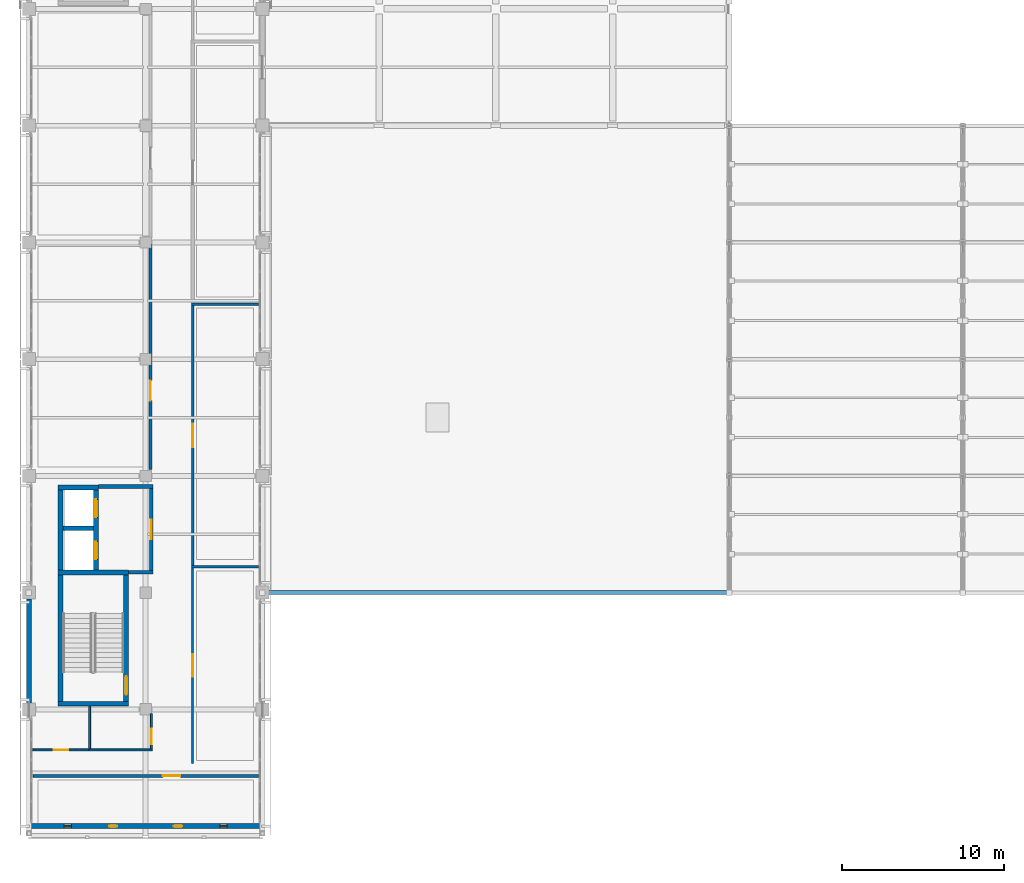
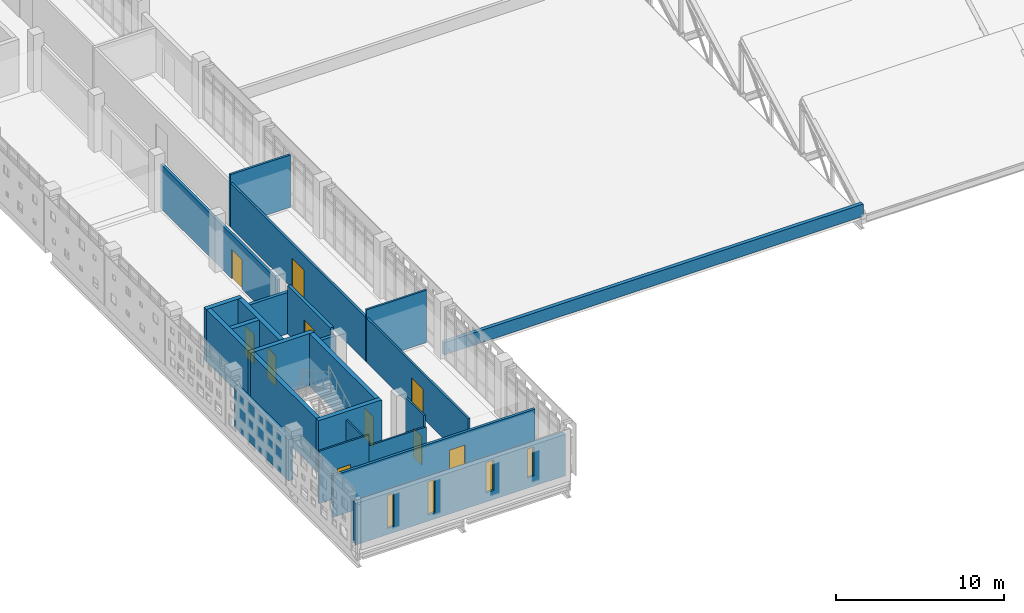
# One storey, part 35 of 51: 24 walls, 10 doors, 4 windows, 14 openings.
"""IFC4 building model written with IfcOpenShell, lengths in metres."""

from ifc_helpers import new_model, si_unit, direction, frame, frame_2d, origin, place, context, subcontext, project, spatial, rectangle, extrude, material, layer, layer_set, type_object, element, fill, save


model = new_model("IFC4")

# Units and contexts
model_context = context("Model", 3, precision=1e-05, world=origin(), true_north=direction((0.0, 1.0)))
body_context = subcontext(model_context, "Body", "Model", "MODEL_VIEW")
ifc_project = project(units=[si_unit("LENGTHUNIT", "METRE"), si_unit("AREAUNIT", "SQUARE_METRE"), si_unit("VOLUMEUNIT", "CUBIC_METRE"), si_unit("PLANEANGLEUNIT", "RADIAN"), si_unit("MASSUNIT", "GRAM", prefix="KILO")], contexts=[model_context])

# Site, building, storey
site_placement = place(None, origin())
site = spatial("IfcSite", under=ifc_project, at=site_placement, CompositionType="ELEMENT")
building_placement = place(site_placement, origin())
building = spatial("IfcBuilding", under=site, at=building_placement, Name="Valkovuoma Quantum and Materials Research Institute", CompositionType="ELEMENT")
storey_placement = place(building_placement, frame((0.0, 0.0, 17.280029296875)))
storey = spatial("IfcBuildingStorey", under=building, at=storey_placement, Name="L04", CompositionType="ELEMENT", Elevation=17.280029296875)

# Walls
ifc_material_1 = material(Name="Concrete C40/50", Category="concrete")
ifc_layer_1 = layer(ifc_material_1, 0.300048828125)
ifc_layer_set_1 = layer_set([ifc_layer_1], Name="Concrete C40/50")
wall_type_1 = type_object("IfcWallType", Name="Wall-W-COR300", PredefinedType="SHEAR", material=ifc_layer_set_1)
for number, where, z_axis, x_axis, name in (
    (1, (1.800048828125, 29.14990234375, 0.0), (0.0, 0.0, 1.0), (1.0, 0.0, 0.0), "L04 core wall 0056"),
    (2, (1.800048828125, 37.25, 0.0), (0.0, 0.0, 1.0), (1.0, 0.0, 0.0), "L04 core wall 0057"),
):
    element("IfcWall", number, at=place(storey_placement, frame(where, z_axis=z_axis, x_axis=x_axis)), inside=storey, type_object=wall_type_1, Name=name, PredefinedType="SHEAR", context=body_context, shape_type="SweptSolid", body=[
        extrude(rectangle(XDim=4.349853515625, YDim=0.300048828125, at=frame_2d((2.1748046875, 0.0))), origin(), (0.0, 0.0, 1.0), 3.81005859375),
    ])
wall_1_placement = place(storey_placement, frame((1.949951171875, 29.300048828125, 0.0), z_axis=(0.0, 0.0, 1.0), x_axis=(0.0, 1.0, 0.0)))
element("IfcWall", 3, at=wall_1_placement, inside=storey, type_object=wall_type_1, Name="L04 core wall 0058", PredefinedType="SHEAR", context=body_context, shape_type="SweptSolid", body=[
    extrude(rectangle(XDim=7.800048828125, YDim=0.300048828125, at=frame_2d((3.89990234375, 0.0))), origin(), (0.0, 0.0, 1.0), 3.81005859375),
])

# Wall, opening, door
wall_2_placement = place(storey_placement, frame((6.0, 29.300048828125, 0.0), z_axis=(0.0, 0.0, 1.0), x_axis=(0.0, 1.0, 0.0)))
wall_2 = element("IfcWall", 4, at=wall_2_placement, inside=storey, type_object=wall_type_1, Name="L04 core wall 0059", PredefinedType="SHEAR", context=body_context, shape_type="SweptSolid", body=[
    extrude(rectangle(XDim=7.800048828125, YDim=0.300048828125, at=frame_2d((3.89990234375, 0.0))), origin(), (0.0, 0.0, 1.0), 3.81005859375),
])
opening_1_placement = place(wall_2_placement, frame((0.39990234375, 0.0, 0.0)))
opening_1 = element("IfcOpeningElement", 5, at=opening_1_placement, cuts=wall_2, Name="Opening SD-011", PredefinedType="OPENING", context=body_context, shape_type="SweptSolid", body=[
    extrude(rectangle(XDim=1.14990234375, YDim=2.199951171875, at=frame_2d((0.574951171875, 1.10009765625))), frame((0.0, 0.16015625, 0.0), z_axis=(0.0, -1.0, 0.0), x_axis=(1.0, 0.0, 0.0)), (0.0, 0.0, 1.0), 0.320068359375),
])
ifc_material_2 = material(Name="Powder-coated steel and acoustic timber door assembly", Category="steel")
door_type_1 = type_object("IfcDoorType", Name="Door-DR-ST60", OperationType="NOTDEFINED", PredefinedType="DOOR", material=ifc_material_2)
door_1_placement = place(opening_1_placement, origin())
door_1 = element("IfcDoor", 6, at=door_1_placement, inside=storey, type_object=door_type_1, Name="L04 ST-1 fire door", OperationType="SINGLE_SWING_RIGHT", OverallHeight=2.199951171875, OverallWidth=1.14990234375, PredefinedType="DOOR", context=body_context, shape_type="SweptSolid", body=[
    extrude(rectangle(XDim=1.14990234375, YDim=2.199951171875, at=frame_2d((0.574951171875, 1.10009765625))), frame((0.0, 0.02490234375, 0.0), z_axis=(0.0, -1.0, 0.0), x_axis=(1.0, 0.0, 0.0)), (0.0, 0.0, 1.0), 0.050048828125),
])
fill(opening_1, door_1)

# Walls
wall_3_placement = place(storey_placement, frame((1.800048828125, 42.47998046875, 0.0), z_axis=(0.0, 0.0, 1.0), x_axis=(1.0, 0.0, 0.0)))
element("IfcWall", 7, at=wall_3_placement, inside=storey, type_object=wall_type_1, Name="L04 core wall 0060", PredefinedType="SHEAR", context=body_context, shape_type="SweptSolid", body=[
    extrude(rectangle(XDim=2.47998046875, YDim=0.300048828125, at=frame_2d((1.239990234375, 0.0))), origin(), (0.0, 0.0, 1.0), 3.81005859375),
])
wall_4_placement = place(storey_placement, frame((2.10009765625, 39.97509765625, 0.0), z_axis=(0.0, 0.0, 1.0), x_axis=(1.0, 0.0, 0.0)))
element("IfcWall", 8, at=wall_4_placement, inside=storey, type_object=wall_type_1, Name="L04 core wall 0061", PredefinedType="SHEAR", context=body_context, shape_type="SweptSolid", body=[
    extrude(rectangle(XDim=1.8798828125, YDim=0.300048828125, at=frame_2d((0.93994140625, 0.0))), origin(), (0.0, 0.0, 1.0), 3.81005859375),
])
wall_5_placement = place(storey_placement, frame((1.949951171875, 37.39990234375, 0.0), z_axis=(0.0, 0.0, 1.0), x_axis=(0.0, 1.0, 0.0)))
element("IfcWall", 9, at=wall_5_placement, inside=storey, type_object=wall_type_1, Name="L04 core wall 0062", PredefinedType="SHEAR", context=body_context, shape_type="SweptSolid", body=[
    extrude(rectangle(XDim=4.93017578125, YDim=0.300048828125, at=frame_2d((2.465087890625, 0.0))), origin(), (0.0, 0.0, 1.0), 3.81005859375),
])

# Wall, openings, doors
wall_6_placement = place(storey_placement, frame((4.1298828125, 37.39990234375, 0.0), z_axis=(0.0, 0.0, 1.0), x_axis=(0.0, 1.0, 0.0)))
wall_6 = element("IfcWall", 10, at=wall_6_placement, inside=storey, type_object=wall_type_1, Name="L04 core wall 0063", PredefinedType="SHEAR", context=body_context, shape_type="SweptSolid", body=[
    extrude(rectangle(XDim=4.93017578125, YDim=0.300048828125, at=frame_2d((2.465087890625, 0.0))), origin(), (0.0, 0.0, 1.0), 3.81005859375),
])
opening_2_placement = place(wall_6_placement, frame((0.64990234375, 0.0, 0.0)))
opening_2 = element("IfcOpeningElement", 11, at=opening_2_placement, cuts=wall_6, Name="Opening LD-011", PredefinedType="OPENING", context=body_context, shape_type="SweptSolid", body=[
    extrude(rectangle(XDim=1.10009765625, YDim=2.199951171875, at=frame_2d((0.550048828125, 1.10009765625))), frame((0.0, 0.16015625, 0.0), z_axis=(0.0, -1.0, 0.0), x_axis=(1.0, 0.0, 0.0)), (0.0, 0.0, 1.0), 0.320068359375),
])
opening_3_placement = place(wall_6_placement, frame((3.25, 0.0, 0.0)))
opening_3 = element("IfcOpeningElement", 12, at=opening_3_placement, cuts=wall_6, Name="Opening LD-012", PredefinedType="OPENING", context=body_context, shape_type="SweptSolid", body=[
    extrude(rectangle(XDim=1.10009765625, YDim=2.199951171875, at=frame_2d((0.550048828125, 1.10009765625))), frame((0.0, 0.16015625, 0.0), z_axis=(0.0, -1.0, 0.0), x_axis=(1.0, 0.0, 0.0)), (0.0, 0.0, 1.0), 0.320068359375),
])
ifc_material_3 = material(Name="Powder-coated steel and acoustic timber door assembly", Category="steel")
door_type_2 = type_object("IfcDoorType", Name="Door-DR-LD01", OperationType="NOTDEFINED", PredefinedType="DOOR", material=ifc_material_3)
door_2_placement = place(opening_2_placement, origin())
door_2 = element("IfcDoor", 13, at=door_2_placement, inside=storey, type_object=door_type_2, Name="L04 LIFT-FF1 sliding landing door", OperationType="SLIDING_TO_LEFT", OverallHeight=2.199951171875, OverallWidth=1.10009765625, PredefinedType="DOOR", context=body_context, shape_type="SweptSolid", body=[
    extrude(rectangle(XDim=1.10009765625, YDim=2.199951171875, at=frame_2d((0.550048828125, 1.10009765625))), frame((0.0, 0.02490234375, 0.0), z_axis=(0.0, -1.0, 0.0), x_axis=(1.0, 0.0, 0.0)), (0.0, 0.0, 1.0), 0.050048828125),
])
fill(opening_2, door_2)
door_3_placement = place(opening_3_placement, origin())
door_3 = element("IfcDoor", 14, at=door_3_placement, inside=storey, type_object=door_type_2, Name="L04 LIFT-P1 sliding landing door", OperationType="SLIDING_TO_LEFT", OverallHeight=2.199951171875, OverallWidth=1.10009765625, PredefinedType="DOOR", context=body_context, shape_type="SweptSolid", body=[
    extrude(rectangle(XDim=1.10009765625, YDim=2.199951171875, at=frame_2d((0.550048828125, 1.10009765625))), frame((0.0, 0.02490234375, 0.0), z_axis=(0.0, -1.0, 0.0), x_axis=(1.0, 0.0, 0.0)), (0.0, 0.0, 1.0), 0.050048828125),
])
fill(opening_3, door_3)

# Wall
ifc_material_4 = material(Name="Precast concrete C40/50", Category="concrete")
ifc_layer_2 = layer(ifc_material_4, 0.300048828125)
ifc_layer_set_2 = layer_set([ifc_layer_2], Name="Precast concrete C40/50")
wall_type_2 = type_object("IfcWallType", Name="Wall-W-EXT300", PredefinedType="SOLIDWALL", material=ifc_layer_set_2)
wall_7_placement = place(storey_placement, frame((0.0, 29.18994140625, 0.0), z_axis=(0.0, 0.0, 1.0), x_axis=(0.0, 1.0, 0.0)))
element("IfcWall", 15, at=wall_7_placement, inside=storey, type_object=wall_type_2, Name="L04 exterior wall 0046", PredefinedType="SOLIDWALL", context=body_context, shape_type="SweptSolid", body=[
    extrude(rectangle(XDim=6.420166015625, YDim=0.300048828125, at=frame_2d((3.2099609375, 0.0))), origin(), (0.0, 0.0, 1.0), 3.010009765625),
])

# Wall, openings, windows
ifc_material_5 = material(Name="Precast concrete C40/50", Category="concrete")
ifc_layer_3 = layer(ifc_material_5, 0.320068359375)
ifc_layer_set_3 = layer_set([ifc_layer_3], Name="Precast concrete C40/50")
wall_type_3 = type_object("IfcWallType", Name="Wall-W-EXT320", PredefinedType="SOLIDWALL", material=ifc_layer_set_3)
wall_8_placement = place(storey_placement, frame((0.0, 21.60009765625, 0.0), z_axis=(0.0, 0.0, 1.0), x_axis=(1.0, 0.0, 0.0)))
wall_8 = element("IfcWall", 16, at=wall_8_placement, inside=storey, type_object=wall_type_3, Name="L04 exterior wall 0044", PredefinedType="SOLIDWALL", context=body_context, shape_type="SweptSolid", body=[
    extrude(rectangle(XDim=14.39990234375, YDim=0.320068359375, at=frame_2d((7.199951171875, 0.0))), origin(), (0.0, 0.0, 1.0), 3.010009765625),
])
opening_4_placement = place(wall_8_placement, frame((2.175048828125, 0.0, 0.449951171875)))
opening_4 = element("IfcOpeningElement", 17, at=opening_4_placement, cuts=wall_8, Name="Opening WN-SL01", PredefinedType="OPENING", context=body_context, shape_type="SweptSolid", body=[
    extrude(rectangle(XDim=0.449951171875, YDim=2.39990234375, at=frame_2d((0.22509765625, 1.199951171875))), frame((0.0, 0.169921875, 0.0), z_axis=(0.0, -1.0, 0.0), x_axis=(1.0, 0.0, 0.0)), (0.0, 0.0, 1.0), 0.340087890625),
])
opening_5_placement = place(wall_8_placement, frame((4.949951171875, 0.0, 0.449951171875)))
opening_5 = element("IfcOpeningElement", 18, at=opening_5_placement, cuts=wall_8, Name="Opening WN-SL02", PredefinedType="OPENING", context=body_context, shape_type="SweptSolid", body=[
    extrude(rectangle(XDim=0.5, YDim=2.39990234375, at=frame_2d((0.25, 1.199951171875))), frame((0.0, 0.169921875, 0.0), z_axis=(0.0, -1.0, 0.0), x_axis=(1.0, 0.0, 0.0)), (0.0, 0.0, 1.0), 0.340087890625),
])
opening_6_placement = place(wall_8_placement, frame((8.925048828125, 0.0, 0.64990234375)))
opening_6 = element("IfcOpeningElement", 19, at=opening_6_placement, cuts=wall_8, Name="Opening WN-SL03", PredefinedType="OPENING", context=body_context, shape_type="SweptSolid", body=[
    extrude(rectangle(XDim=0.550048828125, YDim=2.199951171875, at=frame_2d((0.27490234375, 1.10009765625))), frame((0.0, 0.169921875, 0.0), z_axis=(0.0, -1.0, 0.0), x_axis=(1.0, 0.0, 0.0)), (0.0, 0.0, 1.0), 0.340087890625),
])
opening_7_placement = place(wall_8_placement, frame((11.77490234375, 0.0, 0.75)))
opening_7 = element("IfcOpeningElement", 20, at=opening_7_placement, cuts=wall_8, Name="Opening WN-SL04", PredefinedType="OPENING", context=body_context, shape_type="SweptSolid", body=[
    extrude(rectangle(XDim=0.449951171875, YDim=2.10009765625, at=frame_2d((0.22509765625, 1.050048828125))), frame((0.0, 0.169921875, 0.0), z_axis=(0.0, -1.0, 0.0), x_axis=(1.0, 0.0, 0.0)), (0.0, 0.0, 1.0), 0.340087890625),
])
ifc_material_6 = material(Name="Triple low-E argon glazing in thermally broken aluminium frame", Category="aluminium")
window_type_1 = type_object("IfcWindowType", Name="Win-WN-SL01", PartitioningType="SINGLE_PANEL", PredefinedType="WINDOW", material=ifc_material_6)
window_1_placement = place(opening_4_placement, origin())
window_1 = element("IfcWindow", 21, at=window_1_placement, inside=storey, type_object=window_type_1, Name="L04 window 0024", OverallHeight=2.39990234375, OverallWidth=0.449951171875, PartitioningType="SINGLE_PANEL", PredefinedType="WINDOW", context=body_context, shape_type="SweptSolid", body=[
    extrude(rectangle(XDim=0.449951171875, YDim=2.39990234375, at=frame_2d((0.22509765625, 1.199951171875))), frame((0.0, 0.030029296875, 0.0), z_axis=(0.0, -1.0, 0.0), x_axis=(1.0, 0.0, 0.0)), (0.0, 0.0, 1.0), 0.06005859375),
])
fill(opening_4, window_1)
ifc_material_7 = material(Name="Triple low-E argon glazing in thermally broken aluminium frame", Category="aluminium")
window_type_2 = type_object("IfcWindowType", Name="Win-WN-SL02", PartitioningType="SINGLE_PANEL", PredefinedType="WINDOW", material=ifc_material_7)
window_2_placement = place(opening_5_placement, origin())
window_2 = element("IfcWindow", 22, at=window_2_placement, inside=storey, type_object=window_type_2, Name="L04 window 0025", OverallHeight=2.39990234375, OverallWidth=0.5, PartitioningType="SINGLE_PANEL", PredefinedType="WINDOW", context=body_context, shape_type="SweptSolid", body=[
    extrude(rectangle(XDim=0.5, YDim=2.39990234375, at=frame_2d((0.25, 1.199951171875))), frame((0.0, 0.030029296875, 0.0), z_axis=(0.0, -1.0, 0.0), x_axis=(1.0, 0.0, 0.0)), (0.0, 0.0, 1.0), 0.06005859375),
])
fill(opening_5, window_2)
ifc_material_8 = material(Name="Triple low-E argon glazing in thermally broken aluminium frame", Category="aluminium")
window_type_3 = type_object("IfcWindowType", Name="Win-WN-SL03", PartitioningType="SINGLE_PANEL", PredefinedType="WINDOW", material=ifc_material_8)
window_3_placement = place(opening_6_placement, origin())
window_3 = element("IfcWindow", 23, at=window_3_placement, inside=storey, type_object=window_type_3, Name="L04 window 0026", OverallHeight=2.199951171875, OverallWidth=0.550048828125, PartitioningType="SINGLE_PANEL", PredefinedType="WINDOW", context=body_context, shape_type="SweptSolid", body=[
    extrude(rectangle(XDim=0.550048828125, YDim=2.199951171875, at=frame_2d((0.27490234375, 1.10009765625))), frame((0.0, 0.030029296875, 0.0), z_axis=(0.0, -1.0, 0.0), x_axis=(1.0, 0.0, 0.0)), (0.0, 0.0, 1.0), 0.06005859375),
])
fill(opening_6, window_3)
ifc_material_9 = material(Name="Triple low-E argon glazing in thermally broken aluminium frame", Category="aluminium")
window_type_4 = type_object("IfcWindowType", Name="Win-WN-SL04", PartitioningType="SINGLE_PANEL", PredefinedType="WINDOW", material=ifc_material_9)
window_4_placement = place(opening_7_placement, origin())
window_4 = element("IfcWindow", 24, at=window_4_placement, inside=storey, type_object=window_type_4, Name="L04 window 0027", OverallHeight=2.10009765625, OverallWidth=0.449951171875, PartitioningType="SINGLE_PANEL", PredefinedType="WINDOW", context=body_context, shape_type="SweptSolid", body=[
    extrude(rectangle(XDim=0.449951171875, YDim=2.10009765625, at=frame_2d((0.22509765625, 1.050048828125))), frame((0.0, 0.030029296875, 0.0), z_axis=(0.0, -1.0, 0.0), x_axis=(1.0, 0.0, 0.0)), (0.0, 0.0, 1.0), 0.06005859375),
])
fill(opening_7, window_4)

# Walls
ifc_material_10 = material(Name="Concrete C40/50", Category="concrete")
ifc_layer_4 = layer(ifc_material_10, 0.219970703125)
ifc_layer_set_4 = layer_set([ifc_layer_4], Name="Concrete C40/50")
wall_type_4 = type_object("IfcWallType", Name="Wall-W-FFL220", PredefinedType="SOLIDWALL", material=ifc_layer_set_4)
wall_9_placement = place(storey_placement, frame((6.14990234375, 37.25, 0.0), z_axis=(0.0, 0.0, 1.0), x_axis=(1.0, 0.0, 0.0)))
element("IfcWall", 25, at=wall_9_placement, inside=storey, type_object=wall_type_4, Name="L04 core wall 0064", PredefinedType="SOLIDWALL", context=body_context, shape_type="SweptSolid", body=[
    extrude(rectangle(XDim=1.510009765625, YDim=0.219970703125, at=frame_2d((0.7548828125, 0.0))), origin(), (0.0, 0.0, 1.0), 3.010009765625),
])
wall_10_placement = place(storey_placement, frame((4.280029296875, 42.550048828125, 0.0), z_axis=(0.0, 0.0, 1.0), x_axis=(1.0, 0.0, 0.0)))
element("IfcWall", 26, at=wall_10_placement, inside=storey, type_object=wall_type_4, Name="L04 core wall 0065", PredefinedType="SOLIDWALL", context=body_context, shape_type="SweptSolid", body=[
    extrude(rectangle(XDim=3.3798828125, YDim=0.219970703125, at=frame_2d((1.68994140625, 0.0))), origin(), (0.0, 0.0, 1.0), 3.010009765625),
])

# Wall, opening, door
wall_11_placement = place(storey_placement, frame((7.550048828125, 37.360107421875, 0.0), z_axis=(0.0, 0.0, 1.0), x_axis=(0.0, 1.0, 0.0)))
wall_11 = element("IfcWall", 27, at=wall_11_placement, inside=storey, type_object=wall_type_4, Name="L04 core wall 0066", PredefinedType="SOLIDWALL", context=body_context, shape_type="SweptSolid", body=[
    extrude(rectangle(XDim=5.079833984375, YDim=0.219970703125, at=frame_2d((2.5400390625, 0.0))), origin(), (0.0, 0.0, 1.0), 3.510009765625),
])
opening_8_placement = place(wall_11_placement, frame((1.93994140625, 0.0, 0.0)))
opening_8 = element("IfcOpeningElement", 28, at=opening_8_placement, cuts=wall_11, Name="Opening FD-012", PredefinedType="OPENING", context=body_context, shape_type="SweptSolid", body=[
    extrude(rectangle(XDim=1.199951171875, YDim=2.199951171875, at=frame_2d((0.60009765625, 1.10009765625))), frame((0.0, 0.1201171875, 0.0), z_axis=(0.0, -1.0, 0.0), x_axis=(1.0, 0.0, 0.0)), (0.0, 0.0, 1.0), 0.239990234375),
])
ifc_material_11 = material(Name="Powder-coated steel and acoustic timber door assembly", Category="steel")
door_type_3 = type_object("IfcDoorType", Name="Door-DR-FF60", OperationType="NOTDEFINED", PredefinedType="DOOR", material=ifc_material_11)
door_4_placement = place(opening_8_placement, origin())
door_4 = element("IfcDoor", 29, at=door_4_placement, inside=storey, type_object=door_type_3, Name="L04 firefighting lobby door", OperationType="SINGLE_SWING_LEFT", OverallHeight=2.199951171875, OverallWidth=1.199951171875, PredefinedType="DOOR", context=body_context, shape_type="SweptSolid", body=[
    extrude(rectangle(XDim=1.199951171875, YDim=2.199951171875, at=frame_2d((0.60009765625, 1.10009765625))), frame((0.0, 0.02490234375, 0.0), z_axis=(0.0, -1.0, 0.0), x_axis=(1.0, 0.0, 0.0)), (0.0, 0.0, 1.0), 0.050048828125),
])
fill(opening_8, door_4)

# Walls
ifc_material_12 = material(Name="Precast concrete C40/50", Category="concrete")
ifc_layer_5 = layer(ifc_material_12, 0.25)
ifc_layer_set_5 = layer_set([ifc_layer_5], Name="Precast concrete C40/50")
wall_type_5 = type_object("IfcWallType", Name="Wall-W-PAR250", PredefinedType="PARAPET", material=ifc_layer_set_5)
wall_12_placement = place(storey_placement, frame((14.39990234375, 36.0, 0.0), z_axis=(0.0, 0.0, 1.0), x_axis=(1.0, 0.0, 0.0)))
element("IfcWall", 30, at=wall_12_placement, inside=storey, type_object=wall_type_5, Name="L04 exterior wall 0437", PredefinedType="PARAPET", context=body_context, shape_type="SweptSolid", body=[
    extrude(rectangle(XDim=28.800048828125, YDim=0.25, at=frame_2d((14.39990234375, 0.0))), origin(), (0.0, 0.0, 1.0), 0.89990234375),
])
ifc_material_13 = material(Name="Service and WC partition", Category="masonry")
ifc_layer_6 = layer(ifc_material_13, 0.1201171875)
ifc_layer_set_6 = layer_set([ifc_layer_6], Name="Service and WC partition")
wall_type_6 = type_object("IfcWallType", Name="Wall-W-PRT120", PredefinedType="PARTITIONING", material=ifc_layer_set_6)
wall_13_placement = place(storey_placement, frame((3.68994140625, 26.300048828125, 0.0), z_axis=(0.0, 0.0, 1.0), x_axis=(1.0, 0.0, 0.0)))
element("IfcWall", 31, at=wall_13_placement, inside=storey, type_object=wall_type_6, Name="L04 partition 0179", PredefinedType="PARTITIONING", context=body_context, shape_type="SweptSolid", body=[
    extrude(rectangle(XDim=3.920166015625, YDim=0.1201171875, at=frame_2d((1.9599609375, 0.0))), origin(), (0.0, 0.0, 1.0), 3.010009765625),
])
wall_14_placement = place(storey_placement, frame((3.75, 26.360107421875, 0.0), z_axis=(0.0, 0.0, 1.0), x_axis=(0.0, 1.0, 0.0)))
element("IfcWall", 32, at=wall_14_placement, inside=storey, type_object=wall_type_6, Name="L04 partition 0180", PredefinedType="PARTITIONING", context=body_context, shape_type="SweptSolid", body=[
    extrude(rectangle(XDim=2.639892578125, YDim=0.1201171875, at=frame_2d((1.31982421875, 0.0))), origin(), (0.0, 0.0, 1.0), 3.2099609375),
])

# Wall, opening, door
wall_15_placement = place(storey_placement, frame((7.550048828125, 26.360107421875, 0.0), z_axis=(0.0, 0.0, 1.0), x_axis=(0.0, 1.0, 0.0)))
wall_15 = element("IfcWall", 33, at=wall_15_placement, inside=storey, type_object=wall_type_6, Name="L04 partition 0181", PredefinedType="PARTITIONING", context=body_context, shape_type="SweptSolid", body=[
    extrude(rectangle(XDim=2.179931640625, YDim=0.1201171875, at=frame_2d((1.08984375, 0.0))), origin(), (0.0, 0.0, 1.0), 3.81005859375),
])
opening_9_placement = place(wall_15_placement, frame((0.29296875, 0.0, 0.0)))
opening_9 = element("IfcOpeningElement", 34, at=opening_9_placement, cuts=wall_15, Name="Opening ID-0129", PredefinedType="OPENING", context=body_context, shape_type="SweptSolid", body=[
    extrude(rectangle(XDim=0.93994140625, YDim=2.10009765625, at=frame_2d((0.469970703125, 1.050048828125))), frame((0.0, 0.070068359375, 0.0), z_axis=(0.0, -1.0, 0.0), x_axis=(1.0, 0.0, 0.0)), (0.0, 0.0, 1.0), 0.14013671875),
])
ifc_material_14 = material(Name="Powder-coated steel and acoustic timber door assembly", Category="steel")
door_type_4 = type_object("IfcDoorType", Name="Door-DR-WC01", OperationType="NOTDEFINED", PredefinedType="DOOR", material=ifc_material_14)
door_5_placement = place(opening_9_placement, frame((0.93994140625, 0.0, 0.0), z_axis=(0.0, 0.0, 1.0), x_axis=(-1.0, 0.0, 0.0)))
door_5 = element("IfcDoor", 35, at=door_5_placement, inside=storey, type_object=door_type_4, Name="L04 room door 0129", OperationType="SINGLE_SWING_RIGHT", OverallHeight=2.10009765625, OverallWidth=0.93994140625, PredefinedType="DOOR", context=body_context, shape_type="SweptSolid", body=[
    extrude(rectangle(XDim=0.93994140625, YDim=2.10009765625, at=frame_2d((0.469970703125, 1.050048828125))), frame((0.0, 0.02490234375, 0.0), z_axis=(0.0, -1.0, 0.0), x_axis=(1.0, 0.0, 0.0)), (0.0, 0.0, 1.0), 0.050048828125),
])
fill(opening_9, door_5)

wall_16_placement = place(storey_placement, frame((0.25, 26.300048828125, 0.0), z_axis=(0.0, 0.0, 1.0), x_axis=(1.0, 0.0, 0.0)))
wall_16 = element("IfcWall", 36, at=wall_16_placement, inside=storey, type_object=wall_type_6, Name="L04 partition 0182", PredefinedType="PARTITIONING", context=body_context, shape_type="SweptSolid", body=[
    extrude(rectangle(XDim=3.43994140625, YDim=0.1201171875, at=frame_2d((1.719970703125, 0.0))), origin(), (0.0, 0.0, 1.0), 3.81005859375),
])
opening_10_placement = place(wall_16_placement, frame((1.27001953125, 0.0, 0.0)))
opening_10 = element("IfcOpeningElement", 37, at=opening_10_placement, cuts=wall_16, Name="Opening ID-0130", PredefinedType="OPENING", context=body_context, shape_type="SweptSolid", body=[
    extrude(rectangle(XDim=0.89990234375, YDim=2.10009765625, at=frame_2d((0.449951171875, 1.050048828125))), frame((0.0, 0.070068359375, 0.0), z_axis=(0.0, -1.0, 0.0), x_axis=(1.0, 0.0, 0.0)), (0.0, 0.0, 1.0), 0.14013671875),
])
ifc_material_15 = material(Name="Powder-coated steel and acoustic timber door assembly", Category="steel")
door_type_5 = type_object("IfcDoorType", Name="Door-DR-WC02", OperationType="NOTDEFINED", PredefinedType="DOOR", material=ifc_material_15)
door_6_placement = place(opening_10_placement, origin())
door_6 = element("IfcDoor", 38, at=door_6_placement, inside=storey, type_object=door_type_5, Name="L04 room door 0130", OperationType="SINGLE_SWING_LEFT", OverallHeight=2.10009765625, OverallWidth=0.89990234375, PredefinedType="DOOR", context=body_context, shape_type="SweptSolid", body=[
    extrude(rectangle(XDim=0.89990234375, YDim=2.10009765625, at=frame_2d((0.449951171875, 1.050048828125))), frame((0.0, 0.02490234375, 0.0), z_axis=(0.0, -1.0, 0.0), x_axis=(1.0, 0.0, 0.0)), (0.0, 0.0, 1.0), 0.050048828125),
])
fill(opening_10, door_6)

# Wall
ifc_material_16 = material(Name="Interior office stud partition", Category="masonry")
ifc_layer_7 = layer(ifc_material_16, 0.135009765625)
ifc_layer_set_7 = layer_set([ifc_layer_7], Name="Interior office stud partition")
wall_type_7 = type_object("IfcWallType", Name="Wall-W-PRT135", PredefinedType="PARTITIONING", material=ifc_layer_set_7)
wall_17_placement = place(storey_placement, frame((10.032470703125, 37.60009765625, 0.0), z_axis=(0.0, 0.0, 1.0), x_axis=(1.0, 0.0, 0.0)))
element("IfcWall", 39, at=wall_17_placement, inside=storey, type_object=wall_type_7, Name="L04 partition 0186", PredefinedType="PARTITIONING", context=body_context, shape_type="SweptSolid", body=[
    extrude(rectangle(XDim=4.117431640625, YDim=0.135009765625, at=frame_2d((2.05859375, 0.0))), origin(), (0.0, 0.0, 1.0), 3.81005859375),
])

# Wall, opening, door
wall_18_placement = place(storey_placement, frame((10.10009765625, 25.467529296875, 0.0), z_axis=(0.0, 0.0, 1.0), x_axis=(0.0, 1.0, 0.0)))
wall_18 = element("IfcWall", 40, at=wall_18_placement, inside=storey, type_object=wall_type_7, Name="L04 partition 0187", PredefinedType="PARTITIONING", context=body_context, shape_type="SweptSolid", body=[
    extrude(rectangle(XDim=12.06494140625, YDim=0.135009765625, at=frame_2d((6.032470703125, 0.0))), origin(), (0.0, 0.0, 1.0), 3.2099609375),
])
opening_11_placement = place(wall_18_placement, frame((5.342529296875, 0.0, 0.0)))
opening_11 = element("IfcOpeningElement", 41, at=opening_11_placement, cuts=wall_18, Name="Opening ID-0134", PredefinedType="OPENING", context=body_context, shape_type="SweptSolid", body=[
    extrude(rectangle(XDim=1.3798828125, YDim=2.1201171875, at=frame_2d((0.68994140625, 1.06005859375))), frame((0.0, 0.07763671875, 0.0), z_axis=(0.0, -1.0, 0.0), x_axis=(1.0, 0.0, 0.0)), (0.0, 0.0, 1.0), 0.155029296875),
])
ifc_material_17 = material(Name="Powder-coated steel and acoustic timber door assembly", Category="steel")
door_type_6 = type_object("IfcDoorType", Name="Door-DR-RM10", OperationType="NOTDEFINED", PredefinedType="DOOR", material=ifc_material_17)
door_7_placement = place(opening_11_placement, origin())
door_7 = element("IfcDoor", 42, at=door_7_placement, inside=storey, type_object=door_type_6, Name="L04 room door 0134", OperationType="SINGLE_SWING_LEFT", OverallHeight=2.1201171875, OverallWidth=1.3798828125, PredefinedType="DOOR", context=body_context, shape_type="SweptSolid", body=[
    extrude(rectangle(XDim=1.3798828125, YDim=2.1201171875, at=frame_2d((0.68994140625, 1.06005859375))), frame((0.0, 0.02490234375, 0.0), z_axis=(0.0, -1.0, 0.0), x_axis=(1.0, 0.0, 0.0)), (0.0, 0.0, 1.0), 0.050048828125),
])
fill(opening_11, door_7)

# Wall
ifc_material_18 = material(Name="Acoustic write-up studio partition", Category="masonry")
ifc_layer_8 = layer(ifc_material_18, 0.14990234375)
ifc_layer_set_8 = layer_set([ifc_layer_8], Name="Acoustic write-up studio partition")
wall_type_8 = type_object("IfcWallType", Name="Wall-W-PRT150", PredefinedType="PARTITIONING", material=ifc_layer_set_8)
wall_19_placement = place(storey_placement, frame((10.02490234375, 53.800048828125, 0.0), z_axis=(0.0, 0.0, 1.0), x_axis=(1.0, 0.0, 0.0)))
element("IfcWall", 43, at=wall_19_placement, inside=storey, type_object=wall_type_8, Name="L04 partition 0188", PredefinedType="PARTITIONING", context=body_context, shape_type="SweptSolid", body=[
    extrude(rectangle(XDim=4.125, YDim=0.14990234375, at=frame_2d((2.0625, 0.0))), origin(), (0.0, 0.0, 1.0), 3.81005859375),
])

# Wall, opening, door
wall_20_placement = place(storey_placement, frame((10.10009765625, 37.66748046875, 0.0), z_axis=(0.0, 0.0, 1.0), x_axis=(0.0, 1.0, 0.0)))
wall_20 = element("IfcWall", 44, at=wall_20_placement, inside=storey, type_object=wall_type_8, Name="L04 partition 0189", PredefinedType="PARTITIONING", context=body_context, shape_type="SweptSolid", body=[
    extrude(rectangle(XDim=16.0576171875, YDim=0.14990234375, at=frame_2d((8.02880859375, 0.0))), origin(), (0.0, 0.0, 1.0), 3.2099609375),
])
opening_12_placement = place(wall_20_placement, frame((7.313720703125, 0.0, 0.0)))
opening_12 = element("IfcOpeningElement", 45, at=opening_12_placement, cuts=wall_20, Name="Opening ID-0135", PredefinedType="OPENING", context=body_context, shape_type="SweptSolid", body=[
    extrude(rectangle(XDim=1.429931640625, YDim=2.179931640625, at=frame_2d((0.71484375, 1.08984375))), frame((0.0, 0.0849609375, 0.0), z_axis=(0.0, -1.0, 0.0), x_axis=(1.0, 0.0, 0.0)), (0.0, 0.0, 1.0), 0.169921875),
])
ifc_material_19 = material(Name="Powder-coated steel and acoustic timber door assembly", Category="steel")
door_type_7 = type_object("IfcDoorType", Name="Door-DR-RM11", OperationType="NOTDEFINED", PredefinedType="DOOR", material=ifc_material_19)
door_8_placement = place(opening_12_placement, origin())
door_8 = element("IfcDoor", 46, at=door_8_placement, inside=storey, type_object=door_type_7, Name="L04 room door 0135", OperationType="SINGLE_SWING_RIGHT", OverallHeight=2.179931640625, OverallWidth=1.429931640625, PredefinedType="DOOR", context=body_context, shape_type="SweptSolid", body=[
    extrude(rectangle(XDim=1.429931640625, YDim=2.179931640625, at=frame_2d((0.71484375, 1.08984375))), frame((0.0, 0.02490234375, 0.0), z_axis=(0.0, -1.0, 0.0), x_axis=(1.0, 0.0, 0.0)), (0.0, 0.0, 1.0), 0.050048828125),
])
fill(opening_12, door_8)

ifc_material_20 = material(Name="Laboratory fire-rated gypsum partition", Category="masonry")
ifc_layer_9 = layer(ifc_material_20, 0.179931640625)
ifc_layer_set_9 = layer_set([ifc_layer_9], Name="Laboratory fire-rated gypsum partition")
wall_type_9 = type_object("IfcWallType", Name="Wall-W-PRT180", PredefinedType="PARTITIONING", material=ifc_layer_set_9)
wall_21_placement = place(storey_placement, frame((0.25, 24.699951171875, 0.0), z_axis=(0.0, 0.0, 1.0), x_axis=(1.0, 0.0, 0.0)))
wall_21 = element("IfcWall", 47, at=wall_21_placement, inside=storey, type_object=wall_type_9, Name="L04 partition 0178", PredefinedType="PARTITIONING", context=body_context, shape_type="SweptSolid", body=[
    extrude(rectangle(XDim=13.89990234375, YDim=0.179931640625, at=frame_2d((6.949951171875, 0.0))), origin(), (0.0, 0.0, 1.0), 3.010009765625),
])
opening_13_placement = place(wall_21_placement, frame((8.010009765625, 0.0, 0.0)))
opening_13 = element("IfcOpeningElement", 48, at=opening_13_placement, cuts=wall_21, Name="Opening ID-0128", PredefinedType="OPENING", context=body_context, shape_type="SweptSolid", body=[
    extrude(rectangle(XDim=1.080078125, YDim=2.080078125, at=frame_2d((0.5400390625, 1.0400390625))), frame((0.0, 0.10009765625, 0.0), z_axis=(0.0, -1.0, 0.0), x_axis=(1.0, 0.0, 0.0)), (0.0, 0.0, 1.0), 0.199951171875),
])
ifc_material_21 = material(Name="Powder-coated steel and acoustic timber door assembly", Category="steel")
door_type_8 = type_object("IfcDoorType", Name="Door-DR-RM04", OperationType="NOTDEFINED", PredefinedType="DOOR", material=ifc_material_21)
door_9_placement = place(opening_13_placement, origin())
door_9 = element("IfcDoor", 49, at=door_9_placement, inside=storey, type_object=door_type_8, Name="L04 room door 0128", OperationType="SINGLE_SWING_LEFT", OverallHeight=2.080078125, OverallWidth=1.080078125, PredefinedType="DOOR", context=body_context, shape_type="SweptSolid", body=[
    extrude(rectangle(XDim=1.080078125, YDim=2.080078125, at=frame_2d((0.5400390625, 1.0400390625))), frame((0.0, 0.02490234375, 0.0), z_axis=(0.0, -1.0, 0.0), x_axis=(1.0, 0.0, 0.0)), (0.0, 0.0, 1.0), 0.050048828125),
])
fill(opening_13, door_9)

wall_22_placement = place(storey_placement, frame((7.5, 43.590087890625, 0.0), z_axis=(0.0, 0.0, 1.0), x_axis=(0.0, 1.0, 0.0)))
wall_22 = element("IfcWall", 50, at=wall_22_placement, inside=storey, type_object=wall_type_9, Name="L04 partition 0183", PredefinedType="PARTITIONING", context=body_context, shape_type="SweptSolid", body=[
    extrude(rectangle(XDim=13.919921875, YDim=0.179931640625, at=frame_2d((6.9599609375, 0.0))), origin(), (0.0, 0.0, 1.0), 3.2099609375),
])
opening_14_placement = place(wall_22_placement, frame((4.257080078125, 0.0, 0.0)))
opening_14 = element("IfcOpeningElement", 51, at=opening_14_placement, cuts=wall_22, Name="Opening ID-0131", PredefinedType="OPENING", context=body_context, shape_type="SweptSolid", body=[
    extrude(rectangle(XDim=1.22998046875, YDim=2.1201171875, at=frame_2d((0.614990234375, 1.06005859375))), frame((0.0, 0.10009765625, 0.0), z_axis=(0.0, -1.0, 0.0), x_axis=(1.0, 0.0, 0.0)), (0.0, 0.0, 1.0), 0.199951171875),
])
ifc_material_22 = material(Name="Powder-coated steel and acoustic timber door assembly", Category="steel")
door_type_9 = type_object("IfcDoorType", Name="Door-DR-RM07", OperationType="NOTDEFINED", PredefinedType="DOOR", material=ifc_material_22)
door_10_placement = place(opening_14_placement, origin())
door_10 = element("IfcDoor", 52, at=door_10_placement, inside=storey, type_object=door_type_9, Name="L04 room door 0131", OperationType="SINGLE_SWING_RIGHT", OverallHeight=2.1201171875, OverallWidth=1.22998046875, PredefinedType="DOOR", context=body_context, shape_type="SweptSolid", body=[
    extrude(rectangle(XDim=1.22998046875, YDim=2.1201171875, at=frame_2d((0.614990234375, 1.06005859375))), frame((0.0, 0.02490234375, 0.0), z_axis=(0.0, -1.0, 0.0), x_axis=(1.0, 0.0, 0.0)), (0.0, 0.0, 1.0), 0.050048828125),
])
fill(opening_14, door_10)

save(model, "model.ifc")
